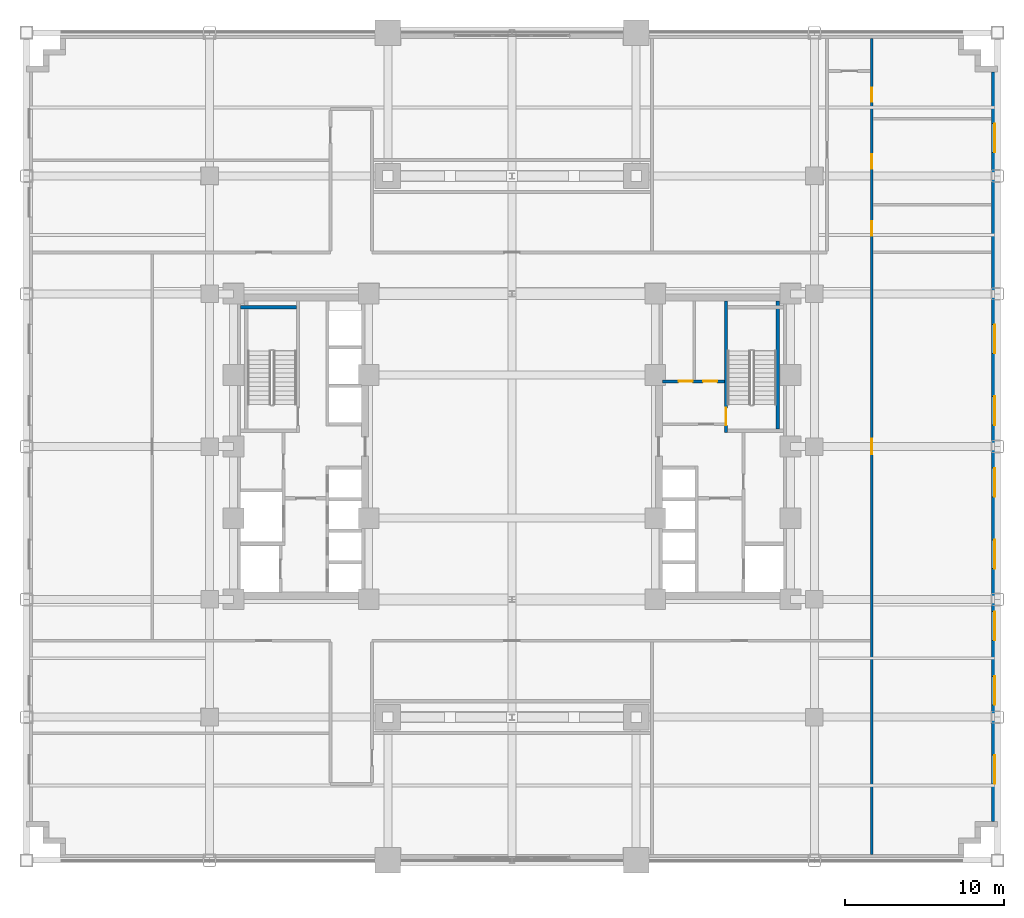
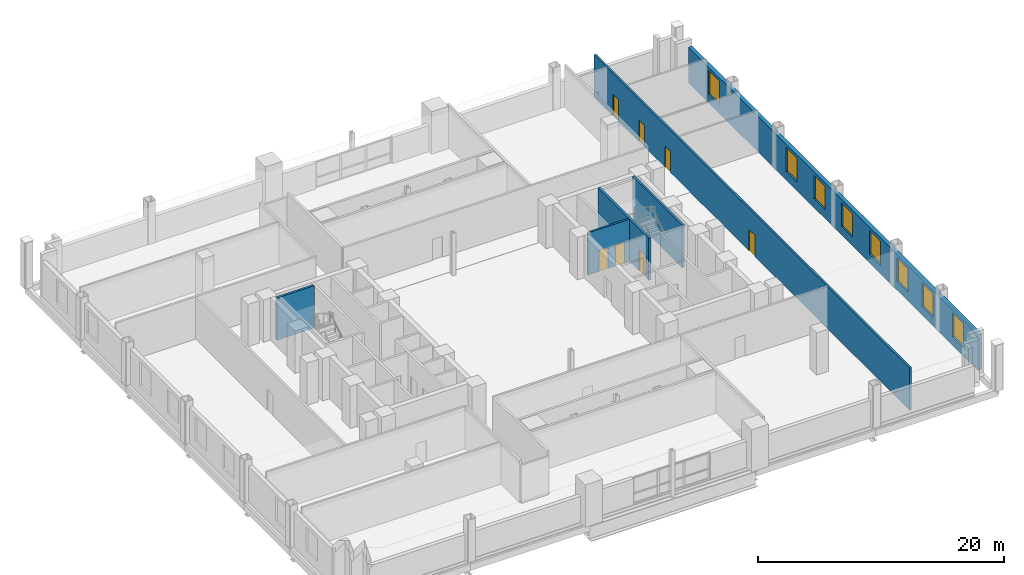
# One storey, part 8 of 17: 8 windows, 7 doors, 6 walls, 15 openings.
"""IFC4 building model written with IfcOpenShell, lengths in metres."""

from ifc_helpers import new_model, si_unit, direction, frame, frame_2d, origin, place, context, subcontext, project, spatial, rectangle, extrude, source, transform, mapped, material, layer, layer_set, type_object, type_shapes, element, fill, save


model = new_model("IFC4")

# Units and contexts
model_context = context("Model", 3, precision=1e-05, world=origin(), true_north=direction((0.0, 1.0)))
body_context = subcontext(model_context, "Body", "Model", "MODEL_VIEW")
ifc_project = project(units=[si_unit("LENGTHUNIT", "METRE"), si_unit("AREAUNIT", "SQUARE_METRE"), si_unit("VOLUMEUNIT", "CUBIC_METRE"), si_unit("PLANEANGLEUNIT", "RADIAN"), si_unit("MASSUNIT", "GRAM", prefix="KILO")], contexts=[model_context])

# Site, building, storey
site_placement = place(None, origin())
site = spatial("IfcSite", under=ifc_project, at=site_placement, CompositionType="ELEMENT")
building_placement = place(site_placement, origin())
building = spatial("IfcBuilding", under=site, at=building_placement, Name="Nuvemarco Arch Tower", CompositionType="ELEMENT")
storey_placement = place(building_placement, frame((0.0, 0.0, 18.39990234375)))
storey = spatial("IfcBuildingStorey", under=building, at=storey_placement, Name="L04", CompositionType="ELEMENT", Elevation=18.39990234375)

# Wall, openings, windows
ifc_material_1 = material(Name="Precast concrete C45/55", Category="concrete")
ifc_layer_1 = layer(ifc_material_1, 0.360107421875, Name="EW-POD-360")
ifc_layer_set_1 = layer_set([ifc_layer_1], Name="Precast concrete C45/55")
wall_type_1 = type_object("IfcWallType", Name="EW-POD-360", PredefinedType="STANDARD", material=ifc_layer_set_1)
wall_1_placement = place(storey_placement, frame((30.320068359375, -23.5439453125, 0.0), z_axis=(0.0, 0.0, 1.0), x_axis=(0.0, 1.0, 0.0)))
wall_1 = element("IfcWall", 1, at=wall_1_placement, inside=storey, type_object=wall_type_1, Name="L04 exterior precast facade wall 6", PredefinedType="STANDARD", context=body_context, shape_type="SweptSolid", body=[
    extrude(rectangle(XDim=47.087890625, YDim=0.360107421875, at=frame_2d((23.5439453125, 0.0))), origin(), (0.0, 0.0, 1.0), 3.53515625),
])
opening_1_placement = place(wall_1_placement, frame((2.3544921875, 0.0, 0.85009765625)))
opening_1 = element("IfcOpeningElement", 2, at=opening_1_placement, cuts=wall_1, Name="Opening WN-2", PredefinedType="OPENING", context=body_context, shape_type="SweptSolid", body=[
    extrude(rectangle(XDim=1.800048828125, YDim=2.35009765625, at=frame_2d((0.89990234375, 1.175048828125))), frame((0.0, 0.18994140625, 0.0), z_axis=(0.0, -1.0, 0.0), x_axis=(1.0, 0.0, 0.0)), (0.0, 0.0, 1.0), 0.380126953125),
])
opening_2_placement = place(wall_1_placement, frame((7.313232421875, 0.0, 0.85009765625)))
opening_2 = element("IfcOpeningElement", 3, at=opening_2_placement, cuts=wall_1, Name="Opening WN-2", PredefinedType="OPENING", context=body_context, shape_type="SweptSolid", body=[
    extrude(rectangle(XDim=1.800048828125, YDim=2.35009765625, at=frame_2d((0.89990234375, 1.175048828125))), frame((0.0, 0.18994140625, 0.0), z_axis=(0.0, -1.0, 0.0), x_axis=(1.0, 0.0, 0.0)), (0.0, 0.0, 1.0), 0.380126953125),
])
opening_3_placement = place(wall_1_placement, frame((11.3720703125, 0.0, 0.85009765625)))
opening_3 = element("IfcOpeningElement", 4, at=opening_3_placement, cuts=wall_1, Name="Opening WN-2", PredefinedType="OPENING", context=body_context, shape_type="SweptSolid", body=[
    extrude(rectangle(XDim=1.800048828125, YDim=2.35009765625, at=frame_2d((0.89990234375, 1.175048828125))), frame((0.0, 0.18994140625, 0.0), z_axis=(0.0, -1.0, 0.0), x_axis=(1.0, 0.0, 0.0)), (0.0, 0.0, 1.0), 0.380126953125),
])
opening_4_placement = place(wall_1_placement, frame((15.880859375, 0.0, 0.85009765625)))
opening_4 = element("IfcOpeningElement", 5, at=opening_4_placement, cuts=wall_1, Name="Opening WN-2", PredefinedType="OPENING", context=body_context, shape_type="SweptSolid", body=[
    extrude(rectangle(XDim=1.800048828125, YDim=2.35009765625, at=frame_2d((0.89990234375, 1.175048828125))), frame((0.0, 0.18994140625, 0.0), z_axis=(0.0, -1.0, 0.0), x_axis=(1.0, 0.0, 0.0)), (0.0, 0.0, 1.0), 0.380126953125),
])
opening_5_placement = place(wall_1_placement, frame((20.3896484375, 0.0, 0.85009765625)))
opening_5 = element("IfcOpeningElement", 6, at=opening_5_placement, cuts=wall_1, Name="Opening WN-2", PredefinedType="OPENING", context=body_context, shape_type="SweptSolid", body=[
    extrude(rectangle(XDim=1.800048828125, YDim=2.35009765625, at=frame_2d((0.89990234375, 1.175048828125))), frame((0.0, 0.18994140625, 0.0), z_axis=(0.0, -1.0, 0.0), x_axis=(1.0, 0.0, 0.0)), (0.0, 0.0, 1.0), 0.380126953125),
])
opening_6_placement = place(wall_1_placement, frame((24.8984375, 0.0, 0.85009765625)))
opening_6 = element("IfcOpeningElement", 7, at=opening_6_placement, cuts=wall_1, Name="Opening WN-2", PredefinedType="OPENING", context=body_context, shape_type="SweptSolid", body=[
    extrude(rectangle(XDim=1.800048828125, YDim=2.35009765625, at=frame_2d((0.89990234375, 1.175048828125))), frame((0.0, 0.18994140625, 0.0), z_axis=(0.0, -1.0, 0.0), x_axis=(1.0, 0.0, 0.0)), (0.0, 0.0, 1.0), 0.380126953125),
])
opening_7_placement = place(wall_1_placement, frame((29.4072265625, 0.0, 0.85009765625)))
opening_7 = element("IfcOpeningElement", 8, at=opening_7_placement, cuts=wall_1, Name="Opening WN-2", PredefinedType="OPENING", context=body_context, shape_type="SweptSolid", body=[
    extrude(rectangle(XDim=1.800048828125, YDim=2.35009765625, at=frame_2d((0.89990234375, 1.175048828125))), frame((0.0, 0.18994140625, 0.0), z_axis=(0.0, -1.0, 0.0), x_axis=(1.0, 0.0, 0.0)), (0.0, 0.0, 1.0), 0.380126953125),
])
opening_8_placement = place(wall_1_placement, frame((42.03369140625, 0.0, 0.85009765625)))
opening_8 = element("IfcOpeningElement", 9, at=opening_8_placement, cuts=wall_1, Name="Opening WN-2", PredefinedType="OPENING", context=body_context, shape_type="SweptSolid", body=[
    extrude(rectangle(XDim=1.800048828125, YDim=2.35009765625, at=frame_2d((0.89990234375, 1.175048828125))), frame((0.0, 0.18994140625, 0.0), z_axis=(0.0, -1.0, 0.0), x_axis=(1.0, 0.0, 0.0)), (0.0, 0.0, 1.0), 0.380126953125),
])
ifc_material_2 = material(Name="Insulated solar-control glass", Category="glass")
window_type = type_object("IfcWindowType", Name="WN-POD-1800x2350", PartitioningType="DOUBLE_PANEL_VERTICAL", PredefinedType="WINDOW", material=ifc_material_2)
shared_shape_1 = source(origin(), body_context, "Body", "SweptSolid", [
    extrude(rectangle(XDim=1.800048828125, YDim=2.35009765625, at=frame_2d((0.89990234375, 1.175048828125))), frame((0.0, 0.030029296875, 0.0), z_axis=(0.0, -1.0, 0.0), x_axis=(1.0, 0.0, 0.0)), (0.0, 0.0, 1.0), 0.06005859375),
])
type_shapes(window_type, [shared_shape_1])
window_1_placement = place(opening_1_placement, origin())
window_1 = element("IfcWindow", 10, at=window_1_placement, inside=storey, type_object=window_type, Name="L04 punched facade window 1", OverallHeight=2.35009765625, OverallWidth=1.800048828125, PartitioningType="SINGLE_PANEL", PredefinedType="WINDOW", context=body_context, shape_type="MappedRepresentation", body=[
    mapped(shared_shape_1, transform((0.0, 0.0, 0.0), scale=1.0)),
])
fill(opening_1, window_1)
window_2_placement = place(opening_2_placement, origin())
window_2 = element("IfcWindow", 11, at=window_2_placement, inside=storey, type_object=window_type, Name="L04 punched facade window 2", OverallHeight=2.35009765625, OverallWidth=1.800048828125, PartitioningType="SINGLE_PANEL", PredefinedType="WINDOW", context=body_context, shape_type="MappedRepresentation", body=[
    mapped(shared_shape_1, transform((0.0, 0.0, 0.0), scale=1.0)),
])
fill(opening_2, window_2)
window_3_placement = place(opening_3_placement, origin())
window_3 = element("IfcWindow", 12, at=window_3_placement, inside=storey, type_object=window_type, Name="L04 punched facade window 3", OverallHeight=2.35009765625, OverallWidth=1.800048828125, PartitioningType="SINGLE_PANEL", PredefinedType="WINDOW", context=body_context, shape_type="MappedRepresentation", body=[
    mapped(shared_shape_1, transform((0.0, 0.0, 0.0), scale=1.0)),
])
fill(opening_3, window_3)
window_4_placement = place(opening_4_placement, origin())
window_4 = element("IfcWindow", 13, at=window_4_placement, inside=storey, type_object=window_type, Name="L04 punched facade window 4", OverallHeight=2.35009765625, OverallWidth=1.800048828125, PartitioningType="SINGLE_PANEL", PredefinedType="WINDOW", context=body_context, shape_type="MappedRepresentation", body=[
    mapped(shared_shape_1, transform((0.0, 0.0, 0.0), scale=1.0)),
])
fill(opening_4, window_4)
window_5_placement = place(opening_5_placement, origin())
window_5 = element("IfcWindow", 14, at=window_5_placement, inside=storey, type_object=window_type, Name="L04 punched facade window 5", OverallHeight=2.35009765625, OverallWidth=1.800048828125, PartitioningType="SINGLE_PANEL", PredefinedType="WINDOW", context=body_context, shape_type="MappedRepresentation", body=[
    mapped(shared_shape_1, transform((0.0, 0.0, 0.0), scale=1.0)),
])
fill(opening_5, window_5)
window_6_placement = place(opening_6_placement, origin())
window_6 = element("IfcWindow", 15, at=window_6_placement, inside=storey, type_object=window_type, Name="L04 punched facade window 6", OverallHeight=2.35009765625, OverallWidth=1.800048828125, PartitioningType="SINGLE_PANEL", PredefinedType="WINDOW", context=body_context, shape_type="MappedRepresentation", body=[
    mapped(shared_shape_1, transform((0.0, 0.0, 0.0), scale=1.0)),
])
fill(opening_6, window_6)
window_7_placement = place(opening_7_placement, origin())
window_7 = element("IfcWindow", 16, at=window_7_placement, inside=storey, type_object=window_type, Name="L04 punched facade window 7", OverallHeight=2.35009765625, OverallWidth=1.800048828125, PartitioningType="SINGLE_PANEL", PredefinedType="WINDOW", context=body_context, shape_type="MappedRepresentation", body=[
    mapped(shared_shape_1, transform((0.0, 0.0, 0.0), scale=1.0)),
])
fill(opening_7, window_7)
window_8_placement = place(opening_8_placement, origin())
window_8 = element("IfcWindow", 17, at=window_8_placement, inside=storey, type_object=window_type, Name="L04 punched facade window 10", OverallHeight=2.35009765625, OverallWidth=1.800048828125, PartitioningType="SINGLE_PANEL", PredefinedType="WINDOW", context=body_context, shape_type="MappedRepresentation", body=[
    mapped(shared_shape_1, transform((0.0, 0.0, 0.0), scale=1.0)),
])
fill(opening_8, window_8)

# Wall, openings, doors
ifc_material_3 = material(Name="Fire-rated gypsum drywall partition")
ifc_layer_2 = layer(ifc_material_3, 0.179931640625, Name="WL-CORR-180")
ifc_layer_set_2 = layer_set([ifc_layer_2], Name="Fire-rated gypsum drywall partition")
wall_type_2 = type_object("IfcWallType", Name="WL-CORR-180", PredefinedType="PARTITIONING", material=ifc_layer_set_2)
wall_2_placement = place(storey_placement, frame((9.445068359375, 4.10009765625, 0.0), z_axis=(0.0, 0.0, 1.0), x_axis=(1.0, 0.0, 0.0)))
wall_2 = element("IfcWall", 18, at=wall_2_placement, inside=storey, type_object=wall_type_2, Name="L04 interior wall IW-L04-EK3H", PredefinedType="PARTITIONING", context=body_context, shape_type="SweptSolid", body=[
    extrude(rectangle(XDim=3.89990234375, YDim=0.179931640625, at=frame_2d((1.949951171875, 0.0))), origin(), (0.0, 0.0, 1.0), 4.190185546875),
])
opening_9_placement = place(wall_2_placement, frame((1.02001953125, 0.0, 0.0)))
opening_9 = element("IfcOpeningElement", 19, at=opening_9_placement, cuts=wall_2, Name="Opening FD-4", PredefinedType="OPENING", context=body_context, shape_type="SweptSolid", body=[
    extrude(rectangle(XDim=0.8798828125, YDim=2.10009765625, at=frame_2d((0.43994140625, 1.050048828125))), frame((0.0, 0.099853515625, 0.0), z_axis=(0.0, -1.0, 0.0), x_axis=(1.0, 0.0, 0.0)), (0.0, 0.0, 1.0), 0.199951171875),
])
opening_10_placement = place(wall_2_placement, frame((2.56494140625, 0.0, 0.0)))
opening_10 = element("IfcOpeningElement", 20, at=opening_10_placement, cuts=wall_2, Name="Opening FD-4", PredefinedType="OPENING", context=body_context, shape_type="SweptSolid", body=[
    extrude(rectangle(XDim=0.8798828125, YDim=2.10009765625, at=frame_2d((0.43994140625, 1.050048828125))), frame((0.0, 0.099853515625, 0.0), z_axis=(0.0, -1.0, 0.0), x_axis=(1.0, 0.0, 0.0)), (0.0, 0.0, 1.0), 0.199951171875),
])
ifc_material_4 = material(Name="Anodised steel fire door", Category="steel")
door_type_1 = type_object("IfcDoorType", Name="DR-RISER-FD", OperationType="NOTDEFINED", PredefinedType="DOOR", material=ifc_material_4)
shared_shape_2 = source(origin(), body_context, "Body", "SweptSolid", [
    extrude(rectangle(XDim=0.8798828125, YDim=2.10009765625, at=frame_2d((0.43994140625, 1.050048828125))), frame((0.0, 0.02490234375, 0.0), z_axis=(0.0, -1.0, 0.0), x_axis=(1.0, 0.0, 0.0)), (0.0, 0.0, 1.0), 0.050048828125),
])
type_shapes(door_type_1, [shared_shape_2])
door_1_placement = place(opening_9_placement, origin())
door_1 = element("IfcDoor", 21, at=door_1_placement, inside=storey, type_object=door_type_1, Name="L04 door FD-L04-EK3B", OperationType="SINGLE_SWING_LEFT", OverallHeight=2.10009765625, OverallWidth=0.8798828125, PredefinedType="DOOR", context=body_context, shape_type="MappedRepresentation", body=[
    mapped(shared_shape_2, transform((0.0, 0.0, 0.0), scale=1.0)),
])
fill(opening_9, door_1)
door_2_placement = place(opening_10_placement, origin())
door_2 = element("IfcDoor", 22, at=door_2_placement, inside=storey, type_object=door_type_1, Name="L04 door FD-L04-EK3C", OperationType="SINGLE_SWING_RIGHT", OverallHeight=2.10009765625, OverallWidth=0.8798828125, PredefinedType="DOOR", context=body_context, shape_type="MappedRepresentation", body=[
    mapped(shared_shape_2, transform((0.0, 0.0, 0.0), scale=1.0)),
])
fill(opening_10, door_2)

wall_3_placement = place(storey_placement, frame((22.60009765625, -25.639892578125, 0.0), z_axis=(0.0, 0.0, 1.0), x_axis=(0.0, 1.0, 0.0)))
wall_3 = element("IfcWall", 23, at=wall_3_placement, inside=storey, type_object=wall_type_2, Name="L04 interior wall IW-L04-025", PredefinedType="PARTITIONING", context=body_context, shape_type="SweptSolid", body=[
    extrude(rectangle(XDim=51.27978515625, YDim=0.179931640625, at=frame_2d((25.639892578125, 0.0))), origin(), (0.0, 0.0, 1.0), 4.190185546875),
])
opening_11_placement = place(wall_3_placement, frame((25.159912109375, 0.0, 0.0)))
opening_11 = element("IfcOpeningElement", 24, at=opening_11_placement, cuts=wall_3, Name="Opening FD-5", PredefinedType="OPENING", context=body_context, shape_type="SweptSolid", body=[
    extrude(rectangle(XDim=0.9599609375, YDim=2.10009765625, at=frame_2d((0.47998046875, 1.050048828125))), frame((0.0, 0.099853515625, 0.0), z_axis=(0.0, -1.0, 0.0), x_axis=(1.0, 0.0, 0.0)), (0.0, 0.0, 1.0), 0.199951171875),
])
opening_12_placement = place(wall_3_placement, frame((43.090087890625, 0.0, 0.0)))
opening_12 = element("IfcOpeningElement", 25, at=opening_12_placement, cuts=wall_3, Name="Opening ID-3", PredefinedType="OPENING", context=body_context, shape_type="SweptSolid", body=[
    extrude(rectangle(XDim=0.89990234375, YDim=2.10009765625, at=frame_2d((0.449951171875, 1.050048828125))), frame((0.0, 0.099853515625, 0.0), z_axis=(0.0, -1.0, 0.0), x_axis=(1.0, 0.0, 0.0)), (0.0, 0.0, 1.0), 0.199951171875),
])
opening_13_placement = place(wall_3_placement, frame((38.889892578125, 0.0, 0.0)))
opening_13 = element("IfcOpeningElement", 26, at=opening_13_placement, cuts=wall_3, Name="Opening ID-3", PredefinedType="OPENING", context=body_context, shape_type="SweptSolid", body=[
    extrude(rectangle(XDim=0.89990234375, YDim=2.10009765625, at=frame_2d((0.449951171875, 1.050048828125))), frame((0.0, 0.099853515625, 0.0), z_axis=(0.0, -1.0, 0.0), x_axis=(1.0, 0.0, 0.0)), (0.0, 0.0, 1.0), 0.199951171875),
])
opening_14_placement = place(wall_3_placement, frame((47.2900390625, 0.0, 0.0)))
opening_14 = element("IfcOpeningElement", 27, at=opening_14_placement, cuts=wall_3, Name="Opening ID-3", PredefinedType="OPENING", context=body_context, shape_type="SweptSolid", body=[
    extrude(rectangle(XDim=0.89990234375, YDim=2.10009765625, at=frame_2d((0.449951171875, 1.050048828125))), frame((0.0, 0.099853515625, 0.0), z_axis=(0.0, -1.0, 0.0), x_axis=(1.0, 0.0, 0.0)), (0.0, 0.0, 1.0), 0.199951171875),
])
ifc_material_5 = material(Name="Timber fire door", Category="wood")
door_type_2 = type_object("IfcDoorType", Name="DR-CORR-FD", OperationType="NOTDEFINED", PredefinedType="DOOR", material=ifc_material_5)
shared_shape_3 = source(origin(), body_context, "Body", "SweptSolid", [
    extrude(rectangle(XDim=0.9599609375, YDim=2.10009765625, at=frame_2d((0.47998046875, 1.050048828125))), frame((0.0, 0.02490234375, 0.0), z_axis=(0.0, -1.0, 0.0), x_axis=(1.0, 0.0, 0.0)), (0.0, 0.0, 1.0), 0.050048828125),
])
type_shapes(door_type_2, [shared_shape_3])
door_3_placement = place(opening_11_placement, origin())
door_3 = element("IfcDoor", 28, at=door_3_placement, inside=storey, type_object=door_type_2, Name="L04 door DR-L04-BRG_LOUNGE", OperationType="SINGLE_SWING_LEFT", OverallHeight=2.10009765625, OverallWidth=0.9599609375, PredefinedType="DOOR", context=body_context, shape_type="MappedRepresentation", body=[
    mapped(shared_shape_3, transform((0.0, 0.0, 0.0), scale=1.0)),
])
fill(opening_11, door_3)
ifc_material_6 = material(Name="Veneered oak timber fire door", Category="wood")
door_type_3 = type_object("IfcDoorType", Name="DR-WC-ACC", OperationType="NOTDEFINED", PredefinedType="DOOR", material=ifc_material_6)
shared_shape_4 = source(origin(), body_context, "Body", "SweptSolid", [
    extrude(rectangle(XDim=0.89990234375, YDim=2.10009765625, at=frame_2d((0.449951171875, 1.050048828125))), frame((0.0, 0.02490234375, 0.0), z_axis=(0.0, -1.0, 0.0), x_axis=(1.0, 0.0, 0.0)), (0.0, 0.0, 1.0), 0.050048828125),
])
type_shapes(door_type_3, [shared_shape_4])
door_4_placement = place(opening_12_placement, origin())
door_4 = element("IfcDoor", 29, at=door_4_placement, inside=storey, type_object=door_type_3, Name="L04 door DR-L04-BRG_WC_F", OperationType="SINGLE_SWING_LEFT", OverallHeight=2.10009765625, OverallWidth=0.89990234375, PredefinedType="DOOR", context=body_context, shape_type="MappedRepresentation", body=[
    mapped(shared_shape_4, transform((0.0, 0.0, 0.0), scale=1.0)),
])
fill(opening_12, door_4)
door_5_placement = place(opening_13_placement, origin())
door_5 = element("IfcDoor", 30, at=door_5_placement, inside=storey, type_object=door_type_3, Name="L04 door DR-L04-BRG_WC_ACC", OperationType="SINGLE_SWING_RIGHT", OverallHeight=2.10009765625, OverallWidth=0.89990234375, PredefinedType="DOOR", context=body_context, shape_type="MappedRepresentation", body=[
    mapped(shared_shape_4, transform((0.0, 0.0, 0.0), scale=1.0)),
])
fill(opening_13, door_5)
door_6_placement = place(opening_14_placement, origin())
door_6 = element("IfcDoor", 31, at=door_6_placement, inside=storey, type_object=door_type_3, Name="L04 door DR-L04-BRG_WC_M", OperationType="SINGLE_SWING_LEFT", OverallHeight=2.10009765625, OverallWidth=0.89990234375, PredefinedType="DOOR", context=body_context, shape_type="MappedRepresentation", body=[
    mapped(shared_shape_4, transform((0.0, 0.0, 0.0), scale=1.0)),
])
fill(opening_14, door_6)

# Wall
ifc_material_7 = material(Name="Concrete C50/60", Category="concrete")
ifc_layer_3 = layer(ifc_material_7, 0.199951171875, Name="WL-SHAFT-220")
ifc_layer_set_3 = layer_set([ifc_layer_3], Name="Concrete C50/60")
wall_type_3 = type_object("IfcWallType", Name="WL-SHAFT-220", PredefinedType="SHEAR", material=ifc_layer_set_3)
wall_4_placement = place(storey_placement, frame((-17.054931640625, 8.75, 0.0), z_axis=(0.0, 0.0, 1.0), x_axis=(1.0, 0.0, 0.0)))
element("IfcWall", 32, at=wall_4_placement, inside=storey, type_object=wall_type_3, Name="L04 structural shaft wall SW-L04-W-ST1N", PredefinedType="SHEAR", context=body_context, shape_type="SweptSolid", body=[
    extrude(rectangle(XDim=3.52001953125, YDim=0.199951171875, at=frame_2d((1.760009765625, 0.0))), origin(), (0.0, 0.0, 1.0), 4.2001953125),
])

# Wall, opening, door
wall_5_placement = place(storey_placement, frame((13.43994140625, 0.89990234375, 0.0), z_axis=(0.0, 0.0, 1.0), x_axis=(0.0, 1.0, 0.0)))
wall_5 = element("IfcWall", 33, at=wall_5_placement, inside=storey, type_object=wall_type_3, Name="L04 structural shaft wall SW-L04-E-ST2W", PredefinedType="SHEAR", context=body_context, shape_type="SweptSolid", body=[
    extrude(rectangle(XDim=8.255126953125, YDim=0.199951171875, at=frame_2d((4.12744140625, 0.0))), origin(), (0.0, 0.0, 1.0), 4.2001953125),
])
opening_15_placement = place(wall_5_placement, frame((0.429931640625, 0.0, 0.0)))
opening_15 = element("IfcOpeningElement", 34, at=opening_15_placement, cuts=wall_5, Name="Opening FD-1", PredefinedType="OPENING", context=body_context, shape_type="SweptSolid", body=[
    extrude(rectangle(XDim=1.10009765625, YDim=2.14990234375, at=frame_2d((0.550048828125, 1.074951171875))), frame((0.0, 0.10986328125, 0.0), z_axis=(0.0, -1.0, 0.0), x_axis=(1.0, 0.0, 0.0)), (0.0, 0.0, 1.0), 0.219970703125),
])
door_type_4 = type_object("IfcDoorType", Name="DR-STAIR-FD", OperationType="NOTDEFINED", PredefinedType="DOOR", material=ifc_material_4)
shared_shape_5 = source(origin(), body_context, "Body", "SweptSolid", [
    extrude(rectangle(XDim=1.10009765625, YDim=2.14990234375, at=frame_2d((0.550048828125, 1.074951171875))), frame((0.0, 0.02490234375, 0.0), z_axis=(0.0, -1.0, 0.0), x_axis=(1.0, 0.0, 0.0)), (0.0, 0.0, 1.0), 0.050048828125),
])
type_shapes(door_type_4, [shared_shape_5])
door_7_placement = place(opening_15_placement, origin())
door_7 = element("IfcDoor", 35, at=door_7_placement, inside=storey, type_object=door_type_4, Name="L04 door FD-L04-ST2", OperationType="SINGLE_SWING_LEFT", OverallHeight=2.14990234375, OverallWidth=1.10009765625, PredefinedType="DOOR", context=body_context, shape_type="MappedRepresentation", body=[
    mapped(shared_shape_5, transform((0.0, 0.0, 0.0), scale=1.0)),
])
fill(opening_15, door_7)

# Wall
wall_6_placement = place(storey_placement, frame((16.699951171875, 1.094970703125, 0.0), z_axis=(0.0, 0.0, 1.0), x_axis=(0.0, 1.0, 0.0)))
element("IfcWall", 36, at=wall_6_placement, inside=storey, type_object=wall_type_3, Name="L04 structural shaft wall SW-L04-E-ST2E", PredefinedType="SHEAR", context=body_context, shape_type="SweptSolid", body=[
    extrude(rectangle(XDim=8.06005859375, YDim=0.199951171875, at=frame_2d((4.030029296875, 0.0))), origin(), (0.0, 0.0, 1.0), 4.2001953125),
])

save(model, "model.ifc")
